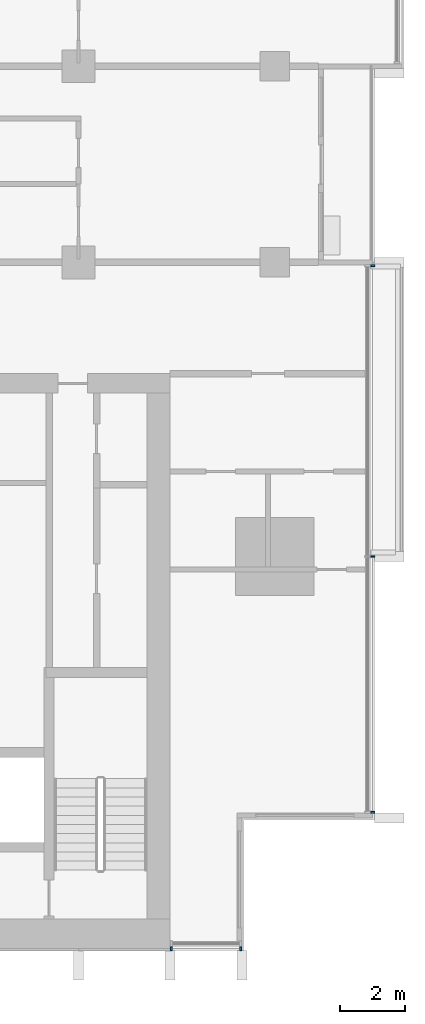
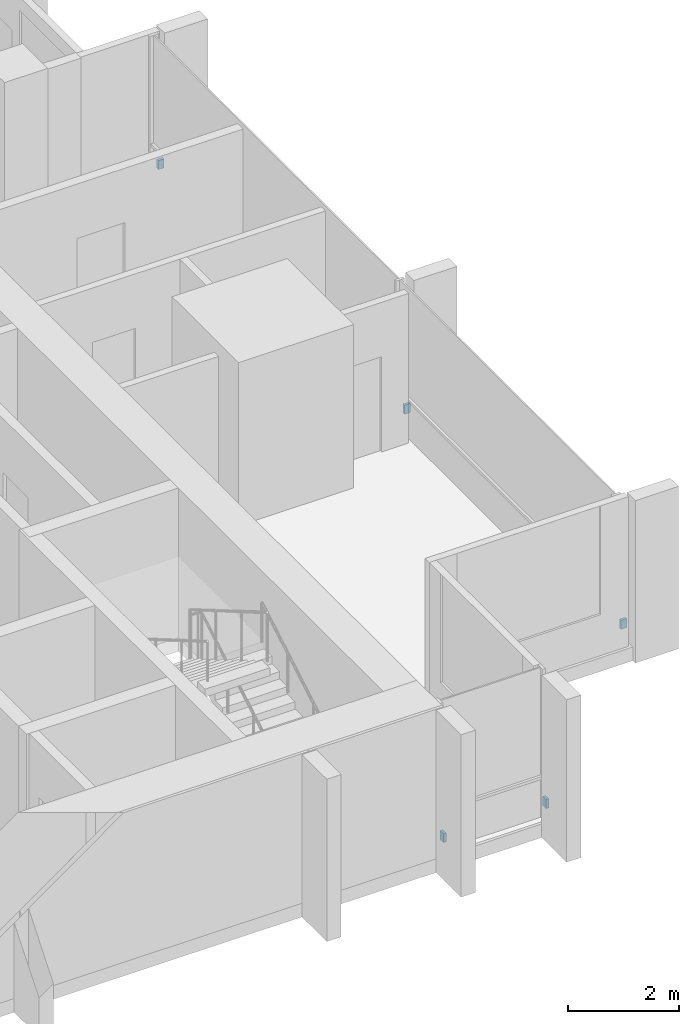
# One storey, part 14 of 17: 5 discrete accessories.
"""IFC4 building model written with IfcOpenShell, lengths in metres."""

from ifc_helpers import new_model, si_unit, direction, frame, origin, origin_2d, place, context, subcontext, project, spatial, rectangle, extrude, material, type_object, element, save


model = new_model("IFC4")

# Units and contexts
model_context = context("Model", 3, precision=1e-05, world=origin(), true_north=direction((0.0, 1.0)))
body_context = subcontext(model_context, "Body", "Model", "MODEL_VIEW")
ifc_project = project(units=[si_unit("LENGTHUNIT", "METRE"), si_unit("AREAUNIT", "SQUARE_METRE"), si_unit("VOLUMEUNIT", "CUBIC_METRE"), si_unit("PLANEANGLEUNIT", "RADIAN"), si_unit("MASSUNIT", "GRAM", prefix="KILO")], contexts=[model_context])

# Site, building, storey
site_placement = place(None, origin())
site = spatial("IfcSite", under=ifc_project, at=site_placement, CompositionType="ELEMENT")
building_placement = place(site_placement, origin())
building = spatial("IfcBuilding", under=site, at=building_placement, Name="Finial Court Residences", CompositionType="ELEMENT")
storey_placement = place(building_placement, frame((0.0, 0.0, 181.699951171875)))
storey = spatial("IfcBuildingStorey", under=building, at=storey_placement, Name="L45", CompositionType="ELEMENT", Elevation=181.699951171875)

# Discrete accessories
ifc_material = material(Name="Stainless steel 316", Category="steel")
discrete_accessory_type = type_object("IfcDiscreteAccessoryType", Name="Fin bracket, stainless steel 60 x 122 x 200", PredefinedType="BRACKET", material=ifc_material)
for number, where, z_axis, x_axis, name in (
    (1, (19.498779296875, -21.320068359375, 0.30029296875), (0.0, 0.0, 1.0), (1.0, 0.0, 0.0), "E-L45-FIN-E7-BRK"),
    (2, (19.498779296875, -13.5, 0.30029296875), (0.0, 0.0, 1.0), (1.0, 0.0, 0.0), "E-L45-FIN-E8-BRK"),
    (3, (19.498779296875, -4.60498046875, 0.30029296875), (0.0, 0.0, 1.0), (1.0, 0.0, 0.0), "E-L45-FIN-E9-BRK"),
):
    element("IfcDiscreteAccessory", number, at=place(storey_placement, frame(where, z_axis=z_axis, x_axis=x_axis)), inside=storey, type_object=discrete_accessory_type, Name=name, PredefinedType="BRACKET", context=body_context, shape_type="SweptSolid", body=[
        extrude(rectangle(XDim=0.12255859375, YDim=0.06005859375, at=origin_2d()), origin(), (0.0, 0.0, 1.0), 0.199951171875),
    ])
for number, where, z_axis, x_axis, name in (
    (4, (13.330078125, -25.498779296875, 0.30029296875), (0.0, 0.0, 1.0), (1.0, 0.0, 0.0), "E-L45-FIN-S20-BRK"),
    (5, (15.469970703125, -25.498779296875, 0.30029296875), (0.0, 0.0, 1.0), (1.0, 0.0, 0.0), "E-L45-FIN-S21-BRK"),
):
    element("IfcDiscreteAccessory", number, at=place(storey_placement, frame(where, z_axis=z_axis, x_axis=x_axis)), inside=storey, type_object=discrete_accessory_type, Name=name, PredefinedType="BRACKET", context=body_context, shape_type="SweptSolid", body=[
        extrude(rectangle(XDim=0.06005859375, YDim=0.12255859375, at=origin_2d()), origin(), (0.0, 0.0, 1.0), 0.199951171875),
    ])

save(model, "model.ifc")
